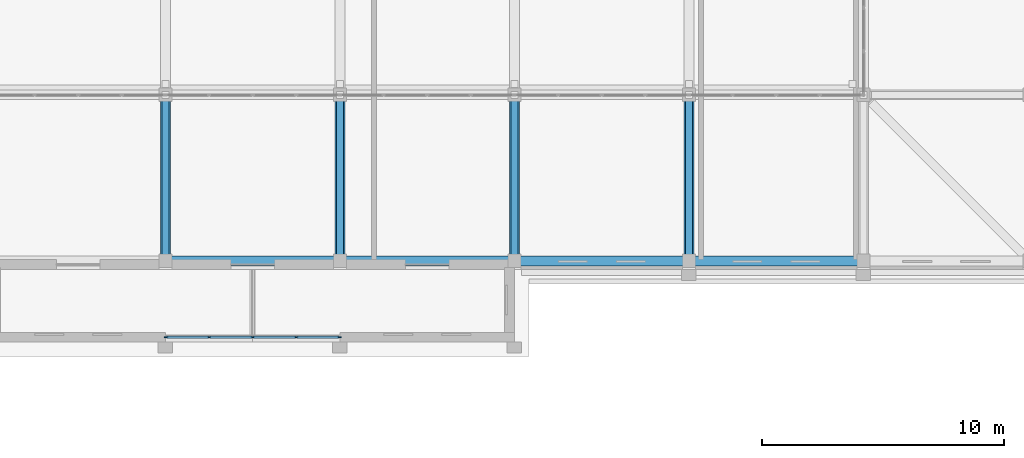
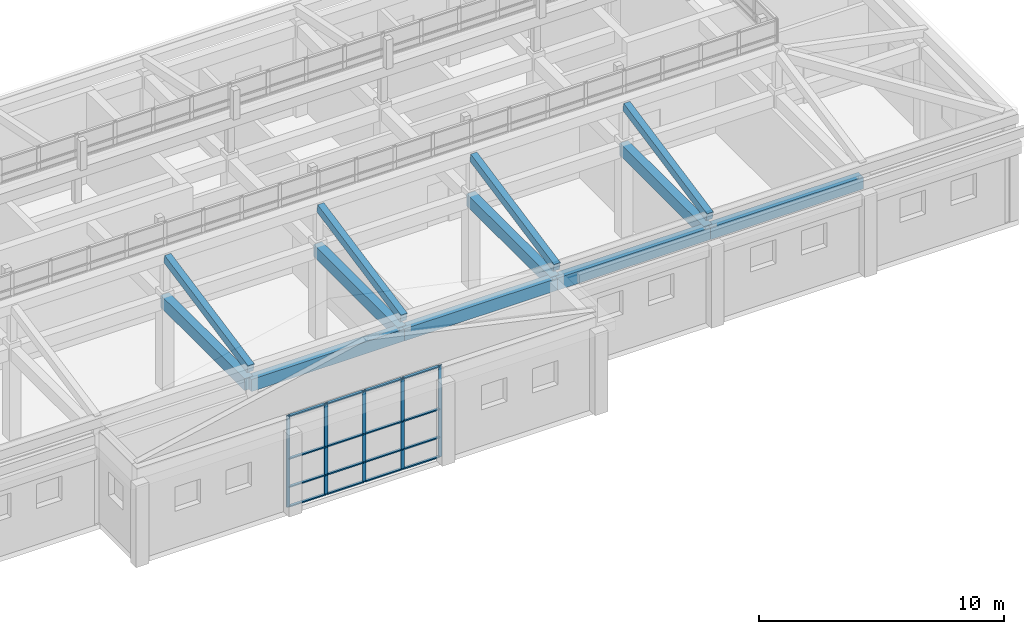
# One storey, part 12 of 48: 21 members, 12 beams, 1 element without a shape of its own.
"""IFC4 building model written with IfcOpenShell, lengths in metres."""

import ifcopenshell
import ifcopenshell.guid

model = None  # the IFC model being written
_history = None  # IfcOwnerHistory: only IFC2X3 demands one
_inside = {}  # id of a spatial element -> (the spatial element, [elements in it])
_under = {}  # id of a project, library or spatial element -> (it, [spatial elements below it])
_declared = {}  # id of a project -> (the project, [libraries it declares])
_typed = {}  # id of a type object -> (the type object, [elements of that type])
_made_of = {}  # id of a material, layer set ... -> (it, [elements and type objects made of it])


def new_model(schema):
    """Start an empty IFC model of exactly this schema.

    Asked for "IFC4X3", IfcOpenShell would pick the latest addendum, in which some entities
    have other attributes; the version numbers below select the first issue.
    IFC2X3 requires an IfcOwnerHistory on every rooted entity: one is made here for all.
    """
    global model, _history
    if schema == "IFC4X3":
        model = ifcopenshell.file(schema_version=(4, 3, 0, 0))
    else:
        model = ifcopenshell.file(schema=schema)
    _inside.clear()
    _under.clear()
    _declared.clear()
    _typed.clear()
    _made_of.clear()
    _history = None
    if model.schema == "IFC2X3":
        org = make("IfcOrganization", Name="unknown")
        user = make(
            "IfcPersonAndOrganization",
            ThePerson=make("IfcPerson", FamilyName="unknown"),
            TheOrganization=org,
        )
        app = make(
            "IfcApplication",
            ApplicationDeveloper=org,
            Version="unknown",
            ApplicationFullName="unknown",
            ApplicationIdentifier="unknown",
        )
        _history = make(
            "IfcOwnerHistory",
            OwningUser=user,
            OwningApplication=app,
            ChangeAction="ADDED",
            CreationDate=0,
        )
    return model


def make(cls, **values):
    """One entity of the class cls with the attributes given. An attribute that is None is left unset."""
    return model.create_entity(
        cls, **{name: value for name, value in values.items() if value is not None}
    )


def rooted(cls, **values):
    """An entity with a GlobalId (a new one), such as an element, a storey or a relation."""
    return make(cls, GlobalId=ifcopenshell.guid.new(), OwnerHistory=_history, **values)


def si_unit(unit_type, name, prefix=None):
    """IfcSIUnit, for example si_unit("LENGTHUNIT", "METRE", prefix="MILLI")."""
    return make("IfcSIUnit", UnitType=unit_type, Prefix=prefix, Name=name)


def assignment(units):
    """IfcUnitAssignment: the units of a project."""
    return None if units is None else make("IfcUnitAssignment", Units=units)


def point(xyz):
    """IfcCartesianPoint."""
    return None if xyz is None else make("IfcCartesianPoint", Coordinates=xyz)


def direction(xyz):
    """IfcDirection."""
    return None if xyz is None else make("IfcDirection", DirectionRatios=xyz)


def frame(location, z_axis=None, x_axis=None):
    """IfcAxis2Placement3D, a coordinate frame: its origin and axes. An axis left out is left unset."""
    return make(
        "IfcAxis2Placement3D",
        Location=point(location),
        Axis=direction(z_axis),
        RefDirection=direction(x_axis),
    )


def frame_2d(location, x_axis=None):
    """IfcAxis2Placement2D, a coordinate frame in the plane: its origin and x axis."""
    return make(
        "IfcAxis2Placement2D", Location=point(location), RefDirection=direction(x_axis)
    )


def origin():
    """The frame at (0, 0, 0) with its axes left unset."""
    return frame((0.0, 0.0, 0.0))


def origin_2d():
    """The frame at (0, 0) in the plane with its x axis left unset."""
    return frame_2d((0.0, 0.0))


def place(relative_to, where):
    """IfcLocalPlacement: puts the frame where relative to a parent placement (None: the world)."""
    return make(
        "IfcLocalPlacement", PlacementRelTo=relative_to, RelativePlacement=where
    )


def context(
    kind, dimensions, precision=None, world=None, true_north=None, identifier=None
):
    """IfcGeometricRepresentationContext, for example the 3D "Model" context."""
    return make(
        "IfcGeometricRepresentationContext",
        ContextIdentifier=identifier,
        ContextType=kind,
        CoordinateSpaceDimension=dimensions,
        Precision=precision,
        WorldCoordinateSystem=world,
        TrueNorth=true_north,
    )


def subcontext(parent, identifier, kind, view, scale=None):
    """IfcGeometricRepresentationSubContext, for example "Body" below "Model"."""
    return make(
        "IfcGeometricRepresentationSubContext",
        ContextIdentifier=identifier,
        ContextType=kind,
        ParentContext=parent,
        TargetScale=scale,
        TargetView=view,
    )


def project(units=None, contexts=None):
    """IfcProject with its units and contexts."""
    return rooted(
        "IfcProject",
        Name="project",
        RepresentationContexts=contexts,
        UnitsInContext=assignment(units),
    )


def spatial(cls, under=None, at=None, **own):
    """A site, building, storey or space (cls), placed at a placement, below another one or the project."""
    s = rooted(cls, ObjectPlacement=at, **own)
    if under is not None:
        _under.setdefault(under.id(), (under, []))[1].append(s)
    return s


def profile(cls, at=None, kind="AREA", **sizes):
    """A parametric profile (cls). Its sizes go by their IFC names, for example OverallWidth=200.0."""
    return make(cls, ProfileType=kind, Position=at, **sizes)


def rectangle(**sizes):
    """IfcRectangleProfileDef."""
    return profile("IfcRectangleProfileDef", **sizes)


def extrude(swept, where, along, depth):
    """IfcExtrudedAreaSolid: the profile swept, set in the frame where, extruded along a direction by depth."""
    return make(
        "IfcExtrudedAreaSolid",
        SweptArea=swept,
        Position=where,
        ExtrudedDirection=direction(along),
        Depth=depth,
    )


def shape(context_of_items, identifier, shape_type, items):
    """IfcShapeRepresentation: the items that make up one representation, for example the "Body"."""
    return make(
        "IfcShapeRepresentation",
        ContextOfItems=context_of_items,
        RepresentationIdentifier=identifier,
        RepresentationType=shape_type,
        Items=items,
    )


def material(Name=None, Category=None):
    """IfcMaterial."""
    return make("IfcMaterial", Name=Name, Category=Category)


def material_profile(
    of_material, cross_section, Name=None, Category=None, Priority=None
):
    """IfcMaterialProfile: a cross section and its material."""
    return make(
        "IfcMaterialProfile",
        Name=Name,
        Material=of_material,
        Profile=cross_section,
        Priority=Priority,
        Category=Category,
    )


def profile_set(profiles, Name=None, composite=None):
    """IfcMaterialProfileSet."""
    return make(
        "IfcMaterialProfileSet",
        Name=Name,
        MaterialProfiles=profiles,
        CompositeProfile=composite,
    )


def made_of(thing, what):
    """Note that an element or type object is made of a material, layer set ...; save() writes the relation."""
    if what is not None:
        _made_of.setdefault(what.id(), (what, []))[1].append(thing)
    return thing


def type_object(cls, material=None, **own):
    """A type object (cls), such as IfcWallType, which elements share."""
    return made_of(rooted(cls, **own), material)


def element(
    cls,
    number,
    at=None,
    inside=None,
    cuts=None,
    type_object=None,
    material=None,
    context=None,
    identifier="Body",
    shape_type=None,
    held_by="IfcProductDefinitionShape",
    body=None,
    shapes=None,
    **own,
):
    """One element of the class cls, such as IfcWall. Its Tag is "e" and its number.

    at: its placement. inside: the storey or other place that contains it. cuts: it is an
    opening in that element (IfcRelVoidsElement). A single representation is given by context,
    identifier, shape_type and body (its items); several are given by shapes. held_by: the class
    of the entity that holds the representations. save() writes the other relations.
    """
    e = rooted(cls, Tag="e%d" % number, ObjectPlacement=at, **own)
    if body is not None:
        shapes = [shape(context, identifier, shape_type, body)]
    if shapes is not None:
        e.Representation = make(held_by, Representations=shapes)
    if inside is not None:
        _inside.setdefault(inside.id(), (inside, []))[1].append(e)
    if cuts is not None:
        rooted(
            "IfcRelVoidsElement", RelatingBuildingElement=cuts, RelatedOpeningElement=e
        )
    if type_object is not None:
        _typed.setdefault(type_object.id(), (type_object, []))[1].append(e)
    return made_of(e, material)


def aggregate(whole, parts):
    """IfcRelAggregates: a whole, such as a stair, and the parts it consists of."""
    return rooted("IfcRelAggregates", RelatingObject=whole, RelatedObjects=parts)


def save(model, path):
    """Write the relations noted so far, then the file.

    IfcRelAggregates (storeys below a building ...), IfcRelContainedInSpatialStructure (elements
    in a storey), IfcRelDefinesByType, IfcRelAssociatesMaterial and IfcRelDeclares: one each for
    every whole, place, type object, material and project.
    """
    for whole, parts in _under.values():
        aggregate(whole, parts)
    for where, things in _inside.values():
        rooted(
            "IfcRelContainedInSpatialStructure",
            RelatedElements=things,
            RelatingStructure=where,
        )
    for kind, things in _typed.values():
        rooted("IfcRelDefinesByType", RelatedObjects=things, RelatingType=kind)
    for what, things in _made_of.values():
        rooted("IfcRelAssociatesMaterial", RelatedObjects=things, RelatingMaterial=what)
    for by, libraries in _declared.values():
        rooted("IfcRelDeclares", RelatingContext=by, RelatedDefinitions=libraries)
    model.write(path)


model = new_model("IFC4")

# Units and contexts
model_context = context("Model", 3, precision=1e-05, world=origin(), true_north=direction((0.0, 1.0)))
body_context = subcontext(model_context, "Body", "Model", "MODEL_VIEW")
ifc_project = project(units=[si_unit("LENGTHUNIT", "METRE"), si_unit("AREAUNIT", "SQUARE_METRE"), si_unit("VOLUMEUNIT", "CUBIC_METRE"), si_unit("PLANEANGLEUNIT", "RADIAN"), si_unit("MASSUNIT", "GRAM", prefix="KILO")], contexts=[model_context])

# Site, building, storey
site_placement = place(None, origin())
site = spatial("IfcSite", under=ifc_project, at=site_placement, CompositionType="ELEMENT")
building_placement = place(site_placement, origin())
building = spatial("IfcBuilding", under=site, at=building_placement, Name="Alderwick Market Hall", CompositionType="ELEMENT")
storey_placement = place(building_placement, frame((0.0, 0.0, 14.39990234375)))
storey = spatial("IfcBuildingStorey", under=building, at=storey_placement, Name="L02", CompositionType="ELEMENT", Elevation=14.39990234375)

# Curtain wall, members
ifc_material_1 = material(Name="F Curtain Wall 1800 module")
curtain_wall_type = type_object("IfcCurtainWallType", Name="F Curtain Wall 1800 module", PredefinedType="NOTDEFINED", material=ifc_material_1)
curtain_wall_placement = place(storey_placement, origin())
curtain_wall = element("IfcCurtainWall", 1, at=curtain_wall_placement, inside=storey, type_object=curtain_wall_type, Name="F.pcw.L02.1", PredefinedType="NOTDEFINED")
ifc_material_2 = material(Name="Aluminium alloy 6063-T6", Category="aluminium")
ifc_material_profile_1 = material_profile(ifc_material_2, rectangle(XDim=0.06005859375, YDim=0.159912109375, at=origin_2d()), Name="AL 60x160")
ifc_profile_set_1 = profile_set([ifc_material_profile_1], Name="Aluminium alloy 6063-T6")
member_type_1 = type_object("IfcMemberType", Name="F Curtain Wall Mullion 60x160", PredefinedType="MULLION", material=ifc_profile_set_1)
member_1_placement = place(storey_placement, frame((201.570068359375, 126.800048828125, 0.0), z_axis=(0.0, 0.0, 1.0), x_axis=(0.0, -1.0, 0.0)))
member_1 = element("IfcMember", 2, at=member_1_placement, type_object=member_type_1, Name="F-CW mullion 1", PredefinedType="MULLION", context=body_context, shape_type="SweptSolid", body=[
    extrude(rectangle(XDim=0.06005859375, YDim=0.159912109375, at=origin_2d()), origin(), (0.0, 0.0, 1.0), 4.550048828125),
])
member_2_placement = place(storey_placement, frame((199.800048828125, 126.800048828125, 0.0), z_axis=(0.0, 0.0, 1.0), x_axis=(0.0, -1.0, 0.0)))
member_2 = element("IfcMember", 3, at=member_2_placement, type_object=member_type_1, Name="F-CW mullion 2", PredefinedType="MULLION", context=body_context, shape_type="SweptSolid", body=[
    extrude(rectangle(XDim=0.06005859375, YDim=0.159912109375, at=origin_2d()), origin(), (0.0, 0.0, 1.0), 4.550048828125),
])
member_3_placement = place(storey_placement, frame((198.0, 126.800048828125, 0.0), z_axis=(0.0, 0.0, 1.0), x_axis=(0.0, -1.0, 0.0)))
member_3 = element("IfcMember", 4, at=member_3_placement, type_object=member_type_1, Name="F-CW mullion 3", PredefinedType="MULLION", context=body_context, shape_type="SweptSolid", body=[
    extrude(rectangle(XDim=0.06005859375, YDim=0.159912109375, at=origin_2d()), origin(), (0.0, 0.0, 1.0), 4.550048828125),
])
member_4_placement = place(storey_placement, frame((196.199951171875, 126.800048828125, 0.0), z_axis=(0.0, 0.0, 1.0), x_axis=(0.0, -1.0, 0.0)))
member_4 = element("IfcMember", 5, at=member_4_placement, type_object=member_type_1, Name="F-CW mullion 4", PredefinedType="MULLION", context=body_context, shape_type="SweptSolid", body=[
    extrude(rectangle(XDim=0.06005859375, YDim=0.159912109375, at=origin_2d()), origin(), (0.0, 0.0, 1.0), 4.550048828125),
])
member_5_placement = place(storey_placement, frame((194.429931640625, 126.800048828125, 0.0), z_axis=(0.0, 0.0, 1.0), x_axis=(0.0, -1.0, 0.0)))
member_5 = element("IfcMember", 6, at=member_5_placement, type_object=member_type_1, Name="F-CW mullion 5", PredefinedType="MULLION", context=body_context, shape_type="SweptSolid", body=[
    extrude(rectangle(XDim=0.06005859375, YDim=0.159912109375, at=origin_2d()), origin(), (0.0, 0.0, 1.0), 4.550048828125),
])
ifc_material_profile_2 = material_profile(ifc_material_2, rectangle(XDim=0.1201171875, YDim=0.06005859375, at=origin_2d()), Name="AL 60x120")
ifc_profile_set_2 = profile_set([ifc_material_profile_2], Name="Aluminium alloy 6063-T6")
member_type_2 = type_object("IfcMemberType", Name="F Curtain Wall Transom 60x120", PredefinedType="USERDEFINED", material=ifc_profile_set_2)
member_6_placement = place(storey_placement, frame((201.5400390625, 126.800048828125, 0.030029296875), z_axis=(-1.0, 0.0, 0.0), x_axis=(0.0, -1.0, 0.0)))
member_6 = element("IfcMember", 7, at=member_6_placement, type_object=member_type_2, Name="F-CW transom 1.1", ObjectType="TRANSOM", PredefinedType="USERDEFINED", context=body_context, shape_type="SweptSolid", body=[
    extrude(rectangle(XDim=0.1201171875, YDim=0.06005859375, at=origin_2d()), origin(), (0.0, 0.0, 1.0), 1.7099609375),
])
member_7_placement = place(storey_placement, frame((201.5400390625, 126.800048828125, 1.0), z_axis=(-1.0, 0.0, 0.0), x_axis=(0.0, -1.0, 0.0)))
member_7 = element("IfcMember", 8, at=member_7_placement, type_object=member_type_2, Name="F-CW transom 1.2", ObjectType="TRANSOM", PredefinedType="USERDEFINED", context=body_context, shape_type="SweptSolid", body=[
    extrude(rectangle(XDim=0.1201171875, YDim=0.06005859375, at=origin_2d()), origin(), (0.0, 0.0, 1.0), 1.7099609375),
])
member_8_placement = place(storey_placement, frame((201.5400390625, 126.800048828125, 2.400146484375), z_axis=(-1.0, 0.0, 0.0), x_axis=(0.0, -1.0, 0.0)))
member_8 = element("IfcMember", 9, at=member_8_placement, type_object=member_type_2, Name="F-CW transom 1.3", ObjectType="TRANSOM", PredefinedType="USERDEFINED", context=body_context, shape_type="SweptSolid", body=[
    extrude(rectangle(XDim=0.1201171875, YDim=0.06005859375, at=origin_2d()), origin(), (0.0, 0.0, 1.0), 1.7099609375),
])
member_9_placement = place(storey_placement, frame((201.5400390625, 126.800048828125, 4.52001953125), z_axis=(-1.0, 0.0, 0.0), x_axis=(0.0, -1.0, 0.0)))
member_9 = element("IfcMember", 10, at=member_9_placement, type_object=member_type_2, Name="F-CW transom 1.4", ObjectType="TRANSOM", PredefinedType="USERDEFINED", context=body_context, shape_type="SweptSolid", body=[
    extrude(rectangle(XDim=0.1201171875, YDim=0.06005859375, at=origin_2d()), origin(), (0.0, 0.0, 1.0), 1.7099609375),
])
member_10_placement = place(storey_placement, frame((199.77001953125, 126.800048828125, 0.030029296875), z_axis=(-1.0, 0.0, 0.0), x_axis=(0.0, -1.0, 0.0)))
member_10 = element("IfcMember", 11, at=member_10_placement, type_object=member_type_2, Name="F-CW transom 2.1", ObjectType="TRANSOM", PredefinedType="USERDEFINED", context=body_context, shape_type="SweptSolid", body=[
    extrude(rectangle(XDim=0.1201171875, YDim=0.06005859375, at=origin_2d()), origin(), (0.0, 0.0, 1.0), 1.739990234375),
])
member_11_placement = place(storey_placement, frame((199.77001953125, 126.800048828125, 1.0), z_axis=(-1.0, 0.0, 0.0), x_axis=(0.0, -1.0, 0.0)))
member_11 = element("IfcMember", 12, at=member_11_placement, type_object=member_type_2, Name="F-CW transom 2.2", ObjectType="TRANSOM", PredefinedType="USERDEFINED", context=body_context, shape_type="SweptSolid", body=[
    extrude(rectangle(XDim=0.1201171875, YDim=0.06005859375, at=origin_2d()), origin(), (0.0, 0.0, 1.0), 1.739990234375),
])
member_12_placement = place(storey_placement, frame((199.77001953125, 126.800048828125, 2.400146484375), z_axis=(-1.0, 0.0, 0.0), x_axis=(0.0, -1.0, 0.0)))
member_12 = element("IfcMember", 13, at=member_12_placement, type_object=member_type_2, Name="F-CW transom 2.3", ObjectType="TRANSOM", PredefinedType="USERDEFINED", context=body_context, shape_type="SweptSolid", body=[
    extrude(rectangle(XDim=0.1201171875, YDim=0.06005859375, at=origin_2d()), origin(), (0.0, 0.0, 1.0), 1.739990234375),
])
member_13_placement = place(storey_placement, frame((199.77001953125, 126.800048828125, 4.52001953125), z_axis=(-1.0, 0.0, 0.0), x_axis=(0.0, -1.0, 0.0)))
member_13 = element("IfcMember", 14, at=member_13_placement, type_object=member_type_2, Name="F-CW transom 2.4", ObjectType="TRANSOM", PredefinedType="USERDEFINED", context=body_context, shape_type="SweptSolid", body=[
    extrude(rectangle(XDim=0.1201171875, YDim=0.06005859375, at=origin_2d()), origin(), (0.0, 0.0, 1.0), 1.739990234375),
])
member_14_placement = place(storey_placement, frame((197.969970703125, 126.800048828125, 0.030029296875), z_axis=(-1.0, 0.0, 0.0), x_axis=(0.0, -1.0, 0.0)))
member_14 = element("IfcMember", 15, at=member_14_placement, type_object=member_type_2, Name="F-CW transom 3.1", ObjectType="TRANSOM", PredefinedType="USERDEFINED", context=body_context, shape_type="SweptSolid", body=[
    extrude(rectangle(XDim=0.1201171875, YDim=0.06005859375, at=origin_2d()), origin(), (0.0, 0.0, 1.0), 1.739990234375),
])
member_15_placement = place(storey_placement, frame((197.969970703125, 126.800048828125, 1.0), z_axis=(-1.0, 0.0, 0.0), x_axis=(0.0, -1.0, 0.0)))
member_15 = element("IfcMember", 16, at=member_15_placement, type_object=member_type_2, Name="F-CW transom 3.2", ObjectType="TRANSOM", PredefinedType="USERDEFINED", context=body_context, shape_type="SweptSolid", body=[
    extrude(rectangle(XDim=0.1201171875, YDim=0.06005859375, at=origin_2d()), origin(), (0.0, 0.0, 1.0), 1.739990234375),
])
member_16_placement = place(storey_placement, frame((197.969970703125, 126.800048828125, 2.400146484375), z_axis=(-1.0, 0.0, 0.0), x_axis=(0.0, -1.0, 0.0)))
member_16 = element("IfcMember", 17, at=member_16_placement, type_object=member_type_2, Name="F-CW transom 3.3", ObjectType="TRANSOM", PredefinedType="USERDEFINED", context=body_context, shape_type="SweptSolid", body=[
    extrude(rectangle(XDim=0.1201171875, YDim=0.06005859375, at=origin_2d()), origin(), (0.0, 0.0, 1.0), 1.739990234375),
])
member_17_placement = place(storey_placement, frame((197.969970703125, 126.800048828125, 4.52001953125), z_axis=(-1.0, 0.0, 0.0), x_axis=(0.0, -1.0, 0.0)))
member_17 = element("IfcMember", 18, at=member_17_placement, type_object=member_type_2, Name="F-CW transom 3.4", ObjectType="TRANSOM", PredefinedType="USERDEFINED", context=body_context, shape_type="SweptSolid", body=[
    extrude(rectangle(XDim=0.1201171875, YDim=0.06005859375, at=origin_2d()), origin(), (0.0, 0.0, 1.0), 1.739990234375),
])
member_18_placement = place(storey_placement, frame((196.169921875, 126.800048828125, 0.030029296875), z_axis=(-1.0, 0.0, 0.0), x_axis=(0.0, -1.0, 0.0)))
member_18 = element("IfcMember", 19, at=member_18_placement, type_object=member_type_2, Name="F-CW transom 4.1", ObjectType="TRANSOM", PredefinedType="USERDEFINED", context=body_context, shape_type="SweptSolid", body=[
    extrude(rectangle(XDim=0.1201171875, YDim=0.06005859375, at=origin_2d()), origin(), (0.0, 0.0, 1.0), 1.7099609375),
])
member_19_placement = place(storey_placement, frame((196.169921875, 126.800048828125, 1.0), z_axis=(-1.0, 0.0, 0.0), x_axis=(0.0, -1.0, 0.0)))
member_19 = element("IfcMember", 20, at=member_19_placement, type_object=member_type_2, Name="F-CW transom 4.2", ObjectType="TRANSOM", PredefinedType="USERDEFINED", context=body_context, shape_type="SweptSolid", body=[
    extrude(rectangle(XDim=0.1201171875, YDim=0.06005859375, at=origin_2d()), origin(), (0.0, 0.0, 1.0), 1.7099609375),
])
member_20_placement = place(storey_placement, frame((196.169921875, 126.800048828125, 2.400146484375), z_axis=(-1.0, 0.0, 0.0), x_axis=(0.0, -1.0, 0.0)))
member_20 = element("IfcMember", 21, at=member_20_placement, type_object=member_type_2, Name="F-CW transom 4.3", ObjectType="TRANSOM", PredefinedType="USERDEFINED", context=body_context, shape_type="SweptSolid", body=[
    extrude(rectangle(XDim=0.1201171875, YDim=0.06005859375, at=origin_2d()), origin(), (0.0, 0.0, 1.0), 1.7099609375),
])
member_21_placement = place(storey_placement, frame((196.169921875, 126.800048828125, 4.52001953125), z_axis=(-1.0, 0.0, 0.0), x_axis=(0.0, -1.0, 0.0)))
member_21 = element("IfcMember", 22, at=member_21_placement, type_object=member_type_2, Name="F-CW transom 4.4", ObjectType="TRANSOM", PredefinedType="USERDEFINED", context=body_context, shape_type="SweptSolid", body=[
    extrude(rectangle(XDim=0.1201171875, YDim=0.06005859375, at=origin_2d()), origin(), (0.0, 0.0, 1.0), 1.7099609375),
])
aggregate(curtain_wall, [member_1, member_2, member_3, member_4, member_5, member_6, member_7, member_8, member_9, member_10, member_11, member_12, member_13, member_14, member_15, member_16, member_17, member_18, member_19, member_20, member_21])

# Beams
ifc_material_3 = material(Name="Concrete 5000 psi (f'c 35 MPa)", Category="concrete")
ifc_material_profile_3 = material_profile(ifc_material_3, rectangle(XDim=0.39990234375, YDim=0.60009765625, at=origin_2d()), Name="RC 400x600")
ifc_profile_set_3 = profile_set([ifc_material_profile_3], Name="Concrete 5000 psi (f'c 35 MPa)")
beam_type_1 = type_object("IfcBeamType", Name="F Floor Beam RC 400x600", PredefinedType="BEAM", material=ifc_profile_set_3)
beam_placement = place(storey_placement, frame((194.39990234375, 129.949951171875, 4.25), z_axis=(1.0, 0.0, 0.0), x_axis=(0.0, 1.0, 0.0)))
element("IfcBeam", 23, at=beam_placement, inside=storey, type_object=beam_type_1, Name="F.beam.L02.006", PredefinedType="BEAM", context=body_context, shape_type="SweptSolid", body=[
    extrude(rectangle(XDim=0.39990234375, YDim=0.60009765625, at=origin_2d()), origin(), (0.0, 0.0, 1.0), 7.2001953125),
])
for number, where, z_axis, x_axis, name in (
    (24, (201.60009765625, 129.949951171875, 4.25), (1.0, 0.0, 0.0), (0.0, 1.0, 0.0), "F.beam.L02.007"),
    (25, (208.800048828125, 129.949951171875, 4.25), (1.0, 0.0, 0.0), (0.0, 1.0, 0.0), "F.beam.L02.008"),
    (26, (216.0, 129.949951171875, 4.25), (1.0, 0.0, 0.0), (0.0, 1.0, 0.0), "F.beam.L02.009"),
):
    element("IfcBeam", number, at=place(storey_placement, frame(where, z_axis=z_axis, x_axis=x_axis)), inside=storey, type_object=beam_type_1, Name=name, PredefinedType="BEAM", context=body_context, shape_type="SweptSolid", body=[
        extrude(rectangle(XDim=0.39990234375, YDim=0.60009765625, at=origin_2d()), origin(), (0.0, 0.0, 1.0), 7.199951171875),
    ])
for number, where, z_axis, x_axis, name in (
    (27, (194.39990234375, 129.949951171875, 4.25), (0.0, 1.0, 0.0), (-1.0, 0.0, 0.0), "F.beam.L02.050"),
    (28, (201.60009765625, 129.949951171875, 4.25), (0.0, 1.0, 0.0), (-1.0, 0.0, 0.0), "F.beam.L02.052"),
    (29, (208.800048828125, 129.949951171875, 4.25), (0.0, 1.0, 0.0), (-1.0, 0.0, 0.0), "F.beam.L02.055"),
    (30, (216.0, 129.949951171875, 4.25), (0.0, 1.0, 0.0), (-1.0, 0.0, 0.0), "F.beam.L02.058"),
):
    element("IfcBeam", number, at=place(storey_placement, frame(where, z_axis=z_axis, x_axis=x_axis)), inside=storey, type_object=beam_type_1, Name=name, PredefinedType="BEAM", context=body_context, shape_type="SweptSolid", body=[
        extrude(rectangle(XDim=0.39990234375, YDim=0.60009765625, at=origin_2d()), origin(), (0.0, 0.0, 1.0), 6.85009765625),
    ])
ifc_material_profile_4 = material_profile(ifc_material_3, rectangle(XDim=0.300048828125, YDim=0.39990234375, at=origin_2d()), Name="RC 300x400")
ifc_profile_set_4 = profile_set([ifc_material_profile_4], Name="Concrete 5000 psi (f'c 35 MPa)")
beam_type_2 = type_object("IfcBeamType", Name="F Rafter RC 300x400", PredefinedType="BEAM", material=ifc_profile_set_4)
for number, where, z_axis, x_axis, name in (
    (31, (194.39990234375, 129.800048828125, 5.08642578125), (0.0, 0.980319904111, 0.197415515103), (-1.0, 0.0, 0.0), "F.rafter.L02.009"),
    (32, (201.60009765625, 129.800048828125, 5.08642578125), (0.0, 0.980319904111, 0.197415515103), (-1.0, 0.0, 0.0), "F.rafter.L02.011"),
    (33, (208.800048828125, 129.800048828125, 5.08642578125), (0.0, 0.980319904111, 0.197415515103), (-1.0, 0.0, 0.0), "F.rafter.L02.013"),
    (34, (216.0, 129.800048828125, 5.08642578125), (0.0, 0.980319904111, 0.197415515103), (-1.0, 0.0, 0.0), "F.rafter.L02.015"),
):
    element("IfcBeam", number, at=place(storey_placement, frame(where, z_axis=z_axis, x_axis=x_axis)), inside=storey, type_object=beam_type_2, Name=name, PredefinedType="BEAM", context=body_context, shape_type="SweptSolid", body=[
        extrude(rectangle(XDim=0.300048828125, YDim=0.39990234375, at=origin_2d()), origin(), (0.0, 0.0, 1.0), 6.9365234375),
    ])

save(model, "model.ifc")
